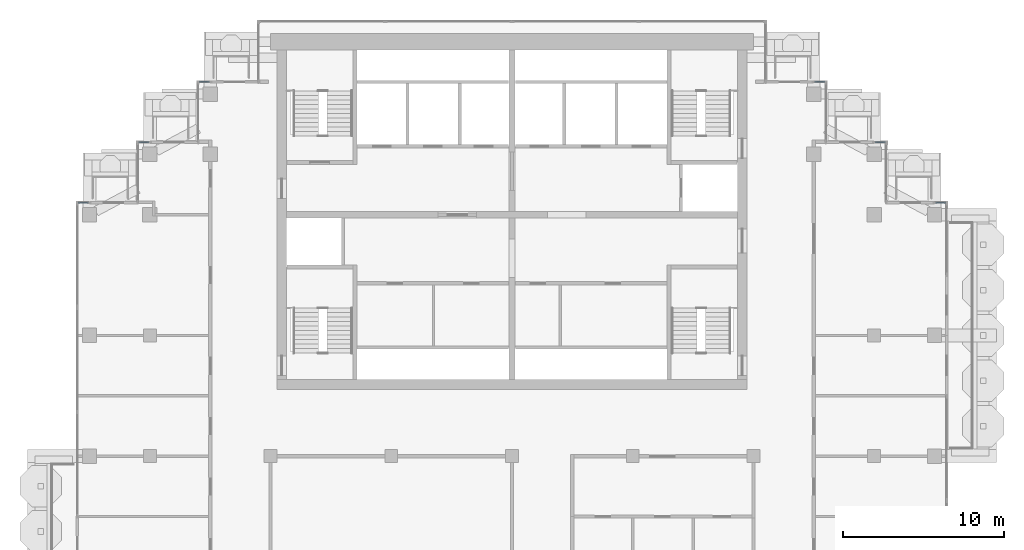
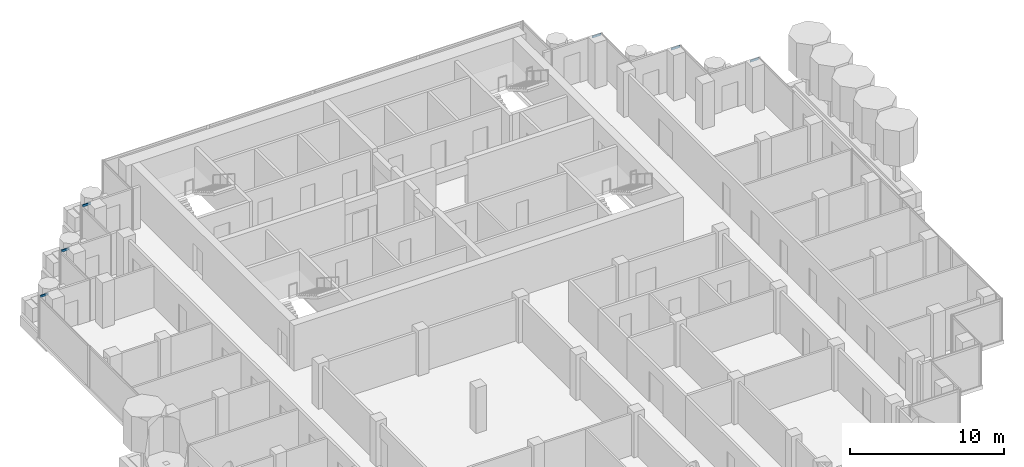
# One storey, part 7 of 19: 6 members, 6 elements without a shape of their own.
"""IFC4 building model written with IfcOpenShell, lengths in metres."""

from ifc_helpers import new_model, si_unit, direction, frame, origin, origin_2d, place, context, subcontext, project, spatial, rectangle, extrude, material, material_profile, profile_set, type_object, element, aggregate, save


model = new_model("IFC4")

# Units and contexts
model_context = context("Model", 3, precision=1e-05, world=origin(), true_north=direction((0.0, 1.0)))
body_context = subcontext(model_context, "Body", "Model", "MODEL_VIEW")
ifc_project = project(units=[si_unit("LENGTHUNIT", "METRE"), si_unit("AREAUNIT", "SQUARE_METRE"), si_unit("VOLUMEUNIT", "CUBIC_METRE"), si_unit("PLANEANGLEUNIT", "RADIAN"), si_unit("MASSUNIT", "GRAM", prefix="KILO")], contexts=[model_context])

# Site, building, storey
site_placement = place(None, origin())
site = spatial("IfcSite", under=ifc_project, at=site_placement, CompositionType="ELEMENT")
building_placement = place(site_placement, origin())
building = spatial("IfcBuilding", under=site, at=building_placement, Name="Pilkhan Gate Tower", CompositionType="ELEMENT")
storey_placement = place(building_placement, frame((0.0, 0.0, 239.10009765625)))
storey = spatial("IfcBuildingStorey", under=building, at=storey_placement, Name="L62", CompositionType="ELEMENT", Elevation=239.10009765625)

# Curtain wall, member
ifc_material_1 = material(Name="Pale anodised aluminium, clear low-iron double glazing", Category="aluminium")
curtain_wall_type = type_object("IfcCurtainWallType", Name="Office unitised curtain wall CW-O2", PredefinedType="USERDEFINED", material=ifc_material_1)
curtain_wall_1_placement = place(storey_placement, origin())
curtain_wall_1 = element("IfcCurtainWall", 1, at=curtain_wall_1_placement, inside=storey, type_object=curtain_wall_type, Name="Office unitised curtain wall CW-O2 L62 N", ObjectType="UNITISED CURTAIN WALL", PredefinedType="USERDEFINED")
ifc_material_2 = material(Name="Pale anodised aluminium", Category="aluminium")
ifc_material_profile = material_profile(ifc_material_2, rectangle(XDim=0.06494140625, YDim=0.1650390625, at=origin_2d()), Name="Transom 165x65")
ifc_profile_set = profile_set([ifc_material_profile], Name="Pale anodised aluminium")
member_type = type_object("IfcMemberType", Name="Transom CW-O2 165x65", PredefinedType="USERDEFINED", material=ifc_profile_set)
member_1_placement = place(storey_placement, frame((101.31494140625, 83.25, 3.21728515625), z_axis=(1.0, 0.0, 0.0), x_axis=(0.0, 1.0, 0.0)))
member_1 = element("IfcMember", 2, at=member_1_placement, type_object=member_type, Name="CW-O2 transom 1", ObjectType="TRANSOM", PredefinedType="USERDEFINED", context=body_context, shape_type="SweptSolid", body=[
    extrude(rectangle(XDim=0.06494140625, YDim=0.1650390625, at=origin_2d()), origin(), (0.0, 0.0, 1.0), 0.6201171875),
])
aggregate(curtain_wall_1, [member_1])

curtain_wall_2_placement = place(storey_placement, origin())
curtain_wall_2 = element("IfcCurtainWall", 3, at=curtain_wall_2_placement, inside=storey, type_object=curtain_wall_type, Name="Office unitised curtain wall CW-O2 L62 N", ObjectType="UNITISED CURTAIN WALL", PredefinedType="USERDEFINED")
member_2_placement = place(storey_placement, frame((97.56494140625, 87.0, 3.21728515625), z_axis=(1.0, 0.0, 0.0), x_axis=(0.0, 1.0, 0.0)))
member_2 = element("IfcMember", 4, at=member_2_placement, type_object=member_type, Name="CW-O2 transom 1", ObjectType="TRANSOM", PredefinedType="USERDEFINED", context=body_context, shape_type="SweptSolid", body=[
    extrude(rectangle(XDim=0.06494140625, YDim=0.1650390625, at=origin_2d()), origin(), (0.0, 0.0, 1.0), 0.6201171875),
])
aggregate(curtain_wall_2, [member_2])

curtain_wall_3_placement = place(storey_placement, origin())
curtain_wall_3 = element("IfcCurtainWall", 5, at=curtain_wall_3_placement, inside=storey, type_object=curtain_wall_type, Name="Office unitised curtain wall CW-O2 L62 N", ObjectType="UNITISED CURTAIN WALL", PredefinedType="USERDEFINED")
member_3_placement = place(storey_placement, frame((93.81494140625, 90.75, 3.21728515625), z_axis=(1.0, 0.0, 0.0), x_axis=(0.0, 1.0, 0.0)))
member_3 = element("IfcMember", 6, at=member_3_placement, type_object=member_type, Name="CW-O2 transom 1", ObjectType="TRANSOM", PredefinedType="USERDEFINED", context=body_context, shape_type="SweptSolid", body=[
    extrude(rectangle(XDim=0.06494140625, YDim=0.1650390625, at=origin_2d()), origin(), (0.0, 0.0, 1.0), 0.6201171875),
])
aggregate(curtain_wall_3, [member_3])

curtain_wall_4_placement = place(storey_placement, origin())
curtain_wall_4 = element("IfcCurtainWall", 7, at=curtain_wall_4_placement, inside=storey, type_object=curtain_wall_type, Name="Office unitised curtain wall CW-O2 L62 N", ObjectType="UNITISED CURTAIN WALL", PredefinedType="USERDEFINED")
member_4_placement = place(storey_placement, frame((55.56494140625, 90.75, 3.21728515625), z_axis=(1.0, 0.0, 0.0), x_axis=(0.0, 1.0, 0.0)))
member_4 = element("IfcMember", 8, at=member_4_placement, type_object=member_type, Name="CW-O2 transom 1", ObjectType="TRANSOM", PredefinedType="USERDEFINED", context=body_context, shape_type="SweptSolid", body=[
    extrude(rectangle(XDim=0.06494140625, YDim=0.1650390625, at=origin_2d()), origin(), (0.0, 0.0, 1.0), 0.6201171875),
])
aggregate(curtain_wall_4, [member_4])

curtain_wall_5_placement = place(storey_placement, origin())
curtain_wall_5 = element("IfcCurtainWall", 9, at=curtain_wall_5_placement, inside=storey, type_object=curtain_wall_type, Name="Office unitised curtain wall CW-O2 L62 N", ObjectType="UNITISED CURTAIN WALL", PredefinedType="USERDEFINED")
member_5_placement = place(storey_placement, frame((51.81494140625, 87.0, 3.21728515625), z_axis=(1.0, 0.0, 0.0), x_axis=(0.0, 1.0, 0.0)))
member_5 = element("IfcMember", 10, at=member_5_placement, type_object=member_type, Name="CW-O2 transom 1", ObjectType="TRANSOM", PredefinedType="USERDEFINED", context=body_context, shape_type="SweptSolid", body=[
    extrude(rectangle(XDim=0.06494140625, YDim=0.1650390625, at=origin_2d()), origin(), (0.0, 0.0, 1.0), 0.6201171875),
])
aggregate(curtain_wall_5, [member_5])

curtain_wall_6_placement = place(storey_placement, origin())
curtain_wall_6 = element("IfcCurtainWall", 11, at=curtain_wall_6_placement, inside=storey, type_object=curtain_wall_type, Name="Office unitised curtain wall CW-O2 L62 N", ObjectType="UNITISED CURTAIN WALL", PredefinedType="USERDEFINED")
member_6_placement = place(storey_placement, frame((48.06494140625, 83.25, 3.21728515625), z_axis=(1.0, 0.0, 0.0), x_axis=(0.0, 1.0, 0.0)))
member_6 = element("IfcMember", 12, at=member_6_placement, type_object=member_type, Name="CW-O2 transom 1", ObjectType="TRANSOM", PredefinedType="USERDEFINED", context=body_context, shape_type="SweptSolid", body=[
    extrude(rectangle(XDim=0.06494140625, YDim=0.1650390625, at=origin_2d()), origin(), (0.0, 0.0, 1.0), 0.6201171875),
])
aggregate(curtain_wall_6, [member_6])

save(model, "model.ifc")
